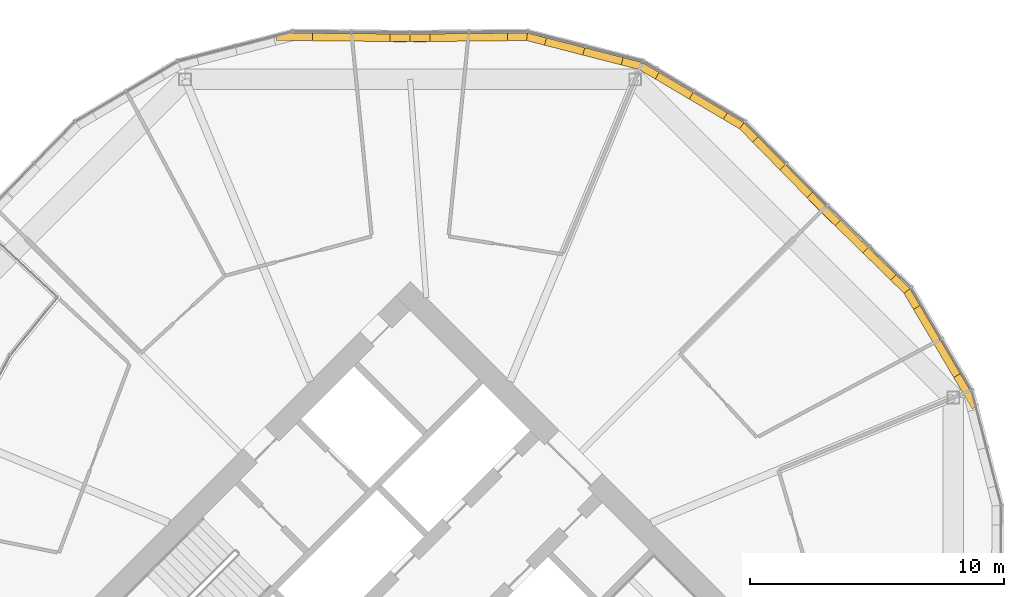
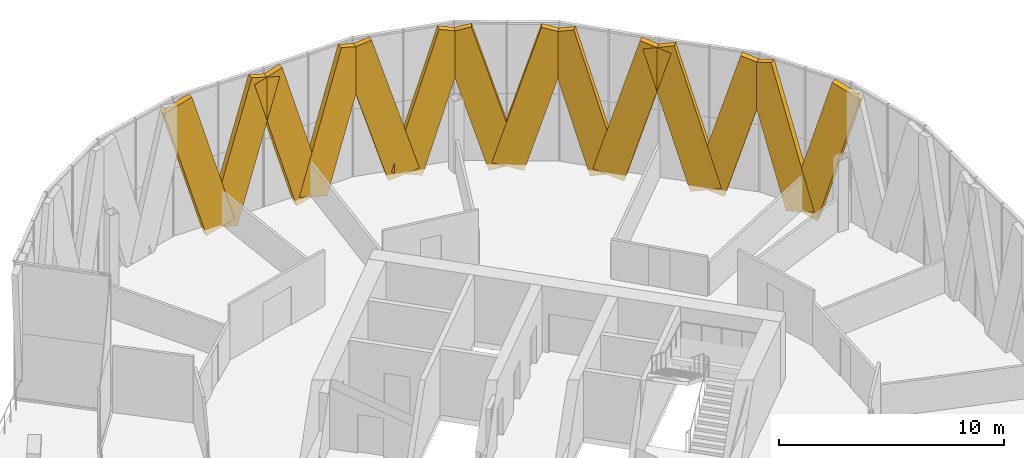
# One storey, part 30 of 31: 14 coverings.
"""IFC4 building model written with IfcOpenShell, lengths in metres."""

import ifcopenshell
import ifcopenshell.guid

model = None  # the IFC model being written
_history = None  # IfcOwnerHistory: only IFC2X3 demands one
_inside = {}  # id of a spatial element -> (the spatial element, [elements in it])
_under = {}  # id of a project, library or spatial element -> (it, [spatial elements below it])
_declared = {}  # id of a project -> (the project, [libraries it declares])
_typed = {}  # id of a type object -> (the type object, [elements of that type])
_made_of = {}  # id of a material, layer set ... -> (it, [elements and type objects made of it])


def new_model(schema):
    """Start an empty IFC model of exactly this schema.

    Asked for "IFC4X3", IfcOpenShell would pick the latest addendum, in which some entities
    have other attributes; the version numbers below select the first issue.
    IFC2X3 requires an IfcOwnerHistory on every rooted entity: one is made here for all.
    """
    global model, _history
    if schema == "IFC4X3":
        model = ifcopenshell.file(schema_version=(4, 3, 0, 0))
    else:
        model = ifcopenshell.file(schema=schema)
    _inside.clear()
    _under.clear()
    _declared.clear()
    _typed.clear()
    _made_of.clear()
    _history = None
    if model.schema == "IFC2X3":
        org = make("IfcOrganization", Name="unknown")
        user = make(
            "IfcPersonAndOrganization",
            ThePerson=make("IfcPerson", FamilyName="unknown"),
            TheOrganization=org,
        )
        app = make(
            "IfcApplication",
            ApplicationDeveloper=org,
            Version="unknown",
            ApplicationFullName="unknown",
            ApplicationIdentifier="unknown",
        )
        _history = make(
            "IfcOwnerHistory",
            OwningUser=user,
            OwningApplication=app,
            ChangeAction="ADDED",
            CreationDate=0,
        )
    return model


def make(cls, **values):
    """One entity of the class cls with the attributes given. An attribute that is None is left unset."""
    return model.create_entity(
        cls, **{name: value for name, value in values.items() if value is not None}
    )


def rooted(cls, **values):
    """An entity with a GlobalId (a new one), such as an element, a storey or a relation."""
    return make(cls, GlobalId=ifcopenshell.guid.new(), OwnerHistory=_history, **values)


def si_unit(unit_type, name, prefix=None):
    """IfcSIUnit, for example si_unit("LENGTHUNIT", "METRE", prefix="MILLI")."""
    return make("IfcSIUnit", UnitType=unit_type, Prefix=prefix, Name=name)


def assignment(units):
    """IfcUnitAssignment: the units of a project."""
    return None if units is None else make("IfcUnitAssignment", Units=units)


def point(xyz):
    """IfcCartesianPoint."""
    return None if xyz is None else make("IfcCartesianPoint", Coordinates=xyz)


def direction(xyz):
    """IfcDirection."""
    return None if xyz is None else make("IfcDirection", DirectionRatios=xyz)


def frame(location, z_axis=None, x_axis=None):
    """IfcAxis2Placement3D, a coordinate frame: its origin and axes. An axis left out is left unset."""
    return make(
        "IfcAxis2Placement3D",
        Location=point(location),
        Axis=direction(z_axis),
        RefDirection=direction(x_axis),
    )


def frame_2d(location, x_axis=None):
    """IfcAxis2Placement2D, a coordinate frame in the plane: its origin and x axis."""
    return make(
        "IfcAxis2Placement2D", Location=point(location), RefDirection=direction(x_axis)
    )


def origin():
    """The frame at (0, 0, 0) with its axes left unset."""
    return frame((0.0, 0.0, 0.0))


def origin_2d():
    """The frame at (0, 0) in the plane with its x axis left unset."""
    return frame_2d((0.0, 0.0))


def place(relative_to, where):
    """IfcLocalPlacement: puts the frame where relative to a parent placement (None: the world)."""
    return make(
        "IfcLocalPlacement", PlacementRelTo=relative_to, RelativePlacement=where
    )


def context(
    kind, dimensions, precision=None, world=None, true_north=None, identifier=None
):
    """IfcGeometricRepresentationContext, for example the 3D "Model" context."""
    return make(
        "IfcGeometricRepresentationContext",
        ContextIdentifier=identifier,
        ContextType=kind,
        CoordinateSpaceDimension=dimensions,
        Precision=precision,
        WorldCoordinateSystem=world,
        TrueNorth=true_north,
    )


def subcontext(parent, identifier, kind, view, scale=None):
    """IfcGeometricRepresentationSubContext, for example "Body" below "Model"."""
    return make(
        "IfcGeometricRepresentationSubContext",
        ContextIdentifier=identifier,
        ContextType=kind,
        ParentContext=parent,
        TargetScale=scale,
        TargetView=view,
    )


def project(units=None, contexts=None):
    """IfcProject with its units and contexts."""
    return rooted(
        "IfcProject",
        Name="project",
        RepresentationContexts=contexts,
        UnitsInContext=assignment(units),
    )


def spatial(cls, under=None, at=None, **own):
    """A site, building, storey or space (cls), placed at a placement, below another one or the project."""
    s = rooted(cls, ObjectPlacement=at, **own)
    if under is not None:
        _under.setdefault(under.id(), (under, []))[1].append(s)
    return s


def profile(cls, at=None, kind="AREA", **sizes):
    """A parametric profile (cls). Its sizes go by their IFC names, for example OverallWidth=200.0."""
    return make(cls, ProfileType=kind, Position=at, **sizes)


def rectangle(**sizes):
    """IfcRectangleProfileDef."""
    return profile("IfcRectangleProfileDef", **sizes)


def extrude(swept, where, along, depth):
    """IfcExtrudedAreaSolid: the profile swept, set in the frame where, extruded along a direction by depth."""
    return make(
        "IfcExtrudedAreaSolid",
        SweptArea=swept,
        Position=where,
        ExtrudedDirection=direction(along),
        Depth=depth,
    )


def shape(context_of_items, identifier, shape_type, items):
    """IfcShapeRepresentation: the items that make up one representation, for example the "Body"."""
    return make(
        "IfcShapeRepresentation",
        ContextOfItems=context_of_items,
        RepresentationIdentifier=identifier,
        RepresentationType=shape_type,
        Items=items,
    )


def material(Name=None, Category=None):
    """IfcMaterial."""
    return make("IfcMaterial", Name=Name, Category=Category)


def material_profile(
    of_material, cross_section, Name=None, Category=None, Priority=None
):
    """IfcMaterialProfile: a cross section and its material."""
    return make(
        "IfcMaterialProfile",
        Name=Name,
        Material=of_material,
        Profile=cross_section,
        Priority=Priority,
        Category=Category,
    )


def profile_set(profiles, Name=None, composite=None):
    """IfcMaterialProfileSet."""
    return make(
        "IfcMaterialProfileSet",
        Name=Name,
        MaterialProfiles=profiles,
        CompositeProfile=composite,
    )


def made_of(thing, what):
    """Note that an element or type object is made of a material, layer set ...; save() writes the relation."""
    if what is not None:
        _made_of.setdefault(what.id(), (what, []))[1].append(thing)
    return thing


def type_object(cls, material=None, **own):
    """A type object (cls), such as IfcWallType, which elements share."""
    return made_of(rooted(cls, **own), material)


def element(
    cls,
    number,
    at=None,
    inside=None,
    cuts=None,
    type_object=None,
    material=None,
    context=None,
    identifier="Body",
    shape_type=None,
    held_by="IfcProductDefinitionShape",
    body=None,
    shapes=None,
    **own,
):
    """One element of the class cls, such as IfcWall. Its Tag is "e" and its number.

    at: its placement. inside: the storey or other place that contains it. cuts: it is an
    opening in that element (IfcRelVoidsElement). A single representation is given by context,
    identifier, shape_type and body (its items); several are given by shapes. held_by: the class
    of the entity that holds the representations. save() writes the other relations.
    """
    e = rooted(cls, Tag="e%d" % number, ObjectPlacement=at, **own)
    if body is not None:
        shapes = [shape(context, identifier, shape_type, body)]
    if shapes is not None:
        e.Representation = make(held_by, Representations=shapes)
    if inside is not None:
        _inside.setdefault(inside.id(), (inside, []))[1].append(e)
    if cuts is not None:
        rooted(
            "IfcRelVoidsElement", RelatingBuildingElement=cuts, RelatedOpeningElement=e
        )
    if type_object is not None:
        _typed.setdefault(type_object.id(), (type_object, []))[1].append(e)
    return made_of(e, material)


def aggregate(whole, parts):
    """IfcRelAggregates: a whole, such as a stair, and the parts it consists of."""
    return rooted("IfcRelAggregates", RelatingObject=whole, RelatedObjects=parts)


def save(model, path):
    """Write the relations noted so far, then the file.

    IfcRelAggregates (storeys below a building ...), IfcRelContainedInSpatialStructure (elements
    in a storey), IfcRelDefinesByType, IfcRelAssociatesMaterial and IfcRelDeclares: one each for
    every whole, place, type object, material and project.
    """
    for whole, parts in _under.values():
        aggregate(whole, parts)
    for where, things in _inside.values():
        rooted(
            "IfcRelContainedInSpatialStructure",
            RelatedElements=things,
            RelatingStructure=where,
        )
    for kind, things in _typed.values():
        rooted("IfcRelDefinesByType", RelatedObjects=things, RelatingType=kind)
    for what, things in _made_of.values():
        rooted("IfcRelAssociatesMaterial", RelatedObjects=things, RelatingMaterial=what)
    for by, libraries in _declared.values():
        rooted("IfcRelDeclares", RelatingContext=by, RelatedDefinitions=libraries)
    model.write(path)


model = new_model("IFC4")

# Units and contexts
model_context = context("Model", 3, precision=1e-05, world=origin(), true_north=direction((0.0, 1.0)))
body_context = subcontext(model_context, "Body", "Model", "MODEL_VIEW")
ifc_project = project(units=[si_unit("LENGTHUNIT", "METRE"), si_unit("AREAUNIT", "SQUARE_METRE"), si_unit("VOLUMEUNIT", "CUBIC_METRE"), si_unit("PLANEANGLEUNIT", "RADIAN"), si_unit("MASSUNIT", "GRAM", prefix="KILO")], contexts=[model_context])

# Site, building, storey
site_placement = place(None, origin())
site = spatial("IfcSite", under=ifc_project, at=site_placement, CompositionType="ELEMENT")
building_placement = place(site_placement, origin())
building = spatial("IfcBuilding", under=site, at=building_placement, Name="Ogive Gate Towers", CompositionType="ELEMENT")
storey_placement = place(building_placement, frame((0.0, 0.0, 107.39990234375)))
storey = spatial("IfcBuildingStorey", under=building, at=storey_placement, Name="L25", CompositionType="ELEMENT", Elevation=107.39990234375)

# Coverings
ifc_material = material(Name="Pale metal aluminium", Category="aluminium")
ifc_material_profile = material_profile(ifc_material, rectangle(XDim=0.300048828125, YDim=1.5, at=origin_2d()), Name="1500 x 300 pale metal aluminium")
ifc_profile_set = profile_set([ifc_material_profile], Name="Pale metal aluminium")
covering_type = type_object("IfcCoveringType", Name="Facade fin 1500 x 300", PredefinedType="CLADDING", material=ifc_profile_set)
covering_1_placement = place(storey_placement, frame((53.89208984375, 14.708740234375, -0.13671875), z_axis=(-0.202945316901, 0.198977201054, 0.958760278594), x_axis=(-0.700091511441, -0.714053132202, 0.0)))
element("IfcCovering", 1, at=covering_1_placement, inside=storey, type_object=covering_type, Name="Facade fin", PredefinedType="CLADDING", context=body_context, shape_type="SweptSolid", body=[
    extrude(rectangle(XDim=0.300048828125, YDim=1.5, at=origin_2d()), origin(), (0.0, 0.0, 1.0), 7.690673828125),
])
covering_2_placement = place(storey_placement, frame((53.982421875, 14.620361328125, -0.13671875), z_axis=(0.202939140283, -0.198971145205, 0.958762842791), x_axis=(0.700091511441, 0.714053132202, 0.0)))
element("IfcCovering", 2, at=covering_2_placement, inside=storey, type_object=covering_type, Name="Facade fin", PredefinedType="CLADDING", context=body_context, shape_type="SweptSolid", body=[
    extrude(rectangle(XDim=0.300048828125, YDim=1.5, at=origin_2d()), origin(), (0.0, 0.0, 1.0), 7.69091796875),
])
for number, where, z_axis, x_axis, name in (
    (3, (56.713134765625, 11.1279296875, -0.13427734375), (-0.14631705273, 0.247637883216, 0.957740465302), (-0.860948490332, -0.508692143634, 0.0), "Facade fin"),
    (4, (56.779296875, 11.016357421875, -0.13427734375), (0.146284850085, -0.247668818854, 0.957737385092), (0.861025341267, 0.508562052946, 0.0), "Facade fin"),
):
    element("IfcCovering", number, at=place(storey_placement, frame(where, z_axis=z_axis, x_axis=x_axis)), inside=storey, type_object=covering_type, Name=name, PredefinedType="CLADDING", context=body_context, shape_type="SweptSolid", body=[
        extrude(rectangle(XDim=0.300048828125, YDim=1.5, at=origin_2d()), origin(), (0.0, 0.0, 1.0), 7.69384765625),
    ])
for number, where, z_axis, x_axis, name in (
    (5, (38.2509765625, 23.05224609375, -0.13671875), (-0.284211490702, -0.002825290145, 0.958757449144), (0.009940310829, -0.99995059389, 0.0), "Facade fin"),
    (6, (38.37744140625, 23.053466796875, -0.13671875), (0.2841823097, 0.002825315635, 0.958766098924), (-0.009941421121, 0.999950582852, 0.0), "Facade fin"),
):
    element("IfcCovering", number, at=place(storey_placement, frame(where, z_axis=z_axis, x_axis=x_axis)), inside=storey, type_object=covering_type, Name=name, PredefinedType="CLADDING", context=body_context, shape_type="SweptSolid", body=[
        extrude(rectangle(XDim=0.300048828125, YDim=1.5, at=origin_2d()), origin(), (0.0, 0.0, 1.0), 7.690673828125),
    ])
for number, where, z_axis, x_axis, name in (
    (7, (42.77783203125, 22.514892578125, -0.13427734375), (-0.278575324057, 0.071682612717, 0.957735554243), (-0.249200680067, -0.968451868218, 0.0), "Facade fin"),
    (8, (42.9033203125, 22.482666015625, -0.13427734375), (0.278575957576, -0.07165104365, 0.957737732265), (0.249097211846, 0.968478486623, 0.0), "Facade fin"),
    (9, (47.016357421875, 20.779296875, -0.13427734375), (-0.247668818854, 0.146284850085, 0.957737385092), (-0.508562052946, -0.861025341267, 0.0), "Facade fin"),
    (10, (47.1279296875, 20.713134765625, -0.13427734375), (0.247637883216, -0.14631705273, 0.957740465302), (0.508692143634, 0.860948490332, 0.0), "Facade fin"),
):
    element("IfcCovering", number, at=place(storey_placement, frame(where, z_axis=z_axis, x_axis=x_axis)), inside=storey, type_object=covering_type, Name=name, PredefinedType="CLADDING", context=body_context, shape_type="SweptSolid", body=[
        extrude(rectangle(XDim=0.300048828125, YDim=1.5, at=origin_2d()), origin(), (0.0, 0.0, 1.0), 7.69384765625),
    ])
covering_3_placement = place(storey_placement, frame((50.620361328125, 17.982421875, -0.13671875), z_axis=(-0.198971145205, 0.202939140283, 0.958762842791), x_axis=(-0.714053132202, -0.700091511441, 0.0)))
element("IfcCovering", 11, at=covering_3_placement, inside=storey, type_object=covering_type, Name="Facade fin", PredefinedType="CLADDING", context=body_context, shape_type="SweptSolid", body=[
    extrude(rectangle(XDim=0.300048828125, YDim=1.5, at=origin_2d()), origin(), (0.0, 0.0, 1.0), 7.69091796875),
])
for number, where, z_axis, x_axis, name in (
    (12, (50.708740234375, 17.89208984375, -0.13671875), (0.198977201054, -0.202945316901, 0.958760278594), (0.714053132202, 0.700091511441, 0.0), "Facade fin"),
    (13, (33.62255859375, 23.053466796875, -0.13671875), (-0.2841823097, 0.002825315635, 0.958766098924), (-0.009941421121, -0.999950582852, 0.0), "Facade fin"),
    (14, (33.7490234375, 23.05224609375, -0.13671875), (0.284211490702, -0.002825290145, 0.958757449144), (0.009940310829, 0.99995059389, 0.0), "Facade fin"),
):
    element("IfcCovering", number, at=place(storey_placement, frame(where, z_axis=z_axis, x_axis=x_axis)), inside=storey, type_object=covering_type, Name=name, PredefinedType="CLADDING", context=body_context, shape_type="SweptSolid", body=[
        extrude(rectangle(XDim=0.300048828125, YDim=1.5, at=origin_2d()), origin(), (0.0, 0.0, 1.0), 7.690673828125),
    ])

save(model, "model.ifc")
